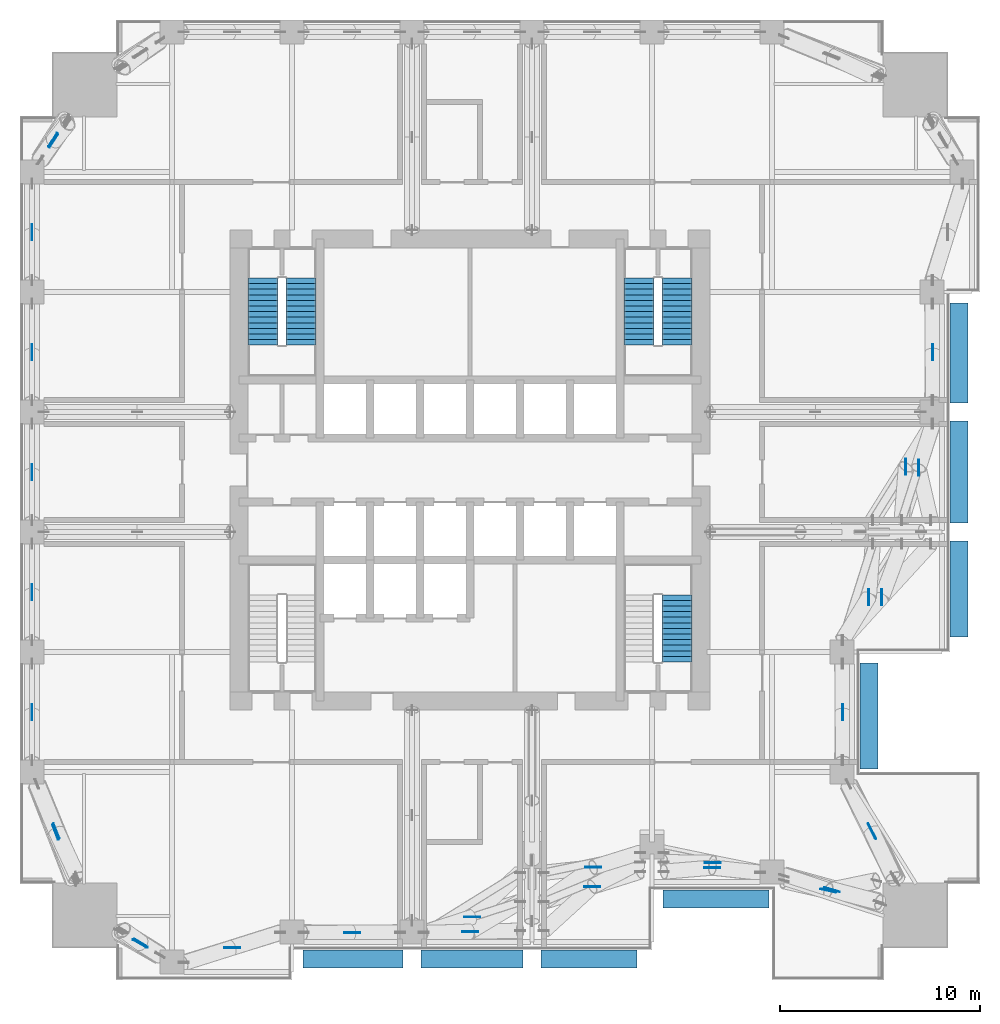
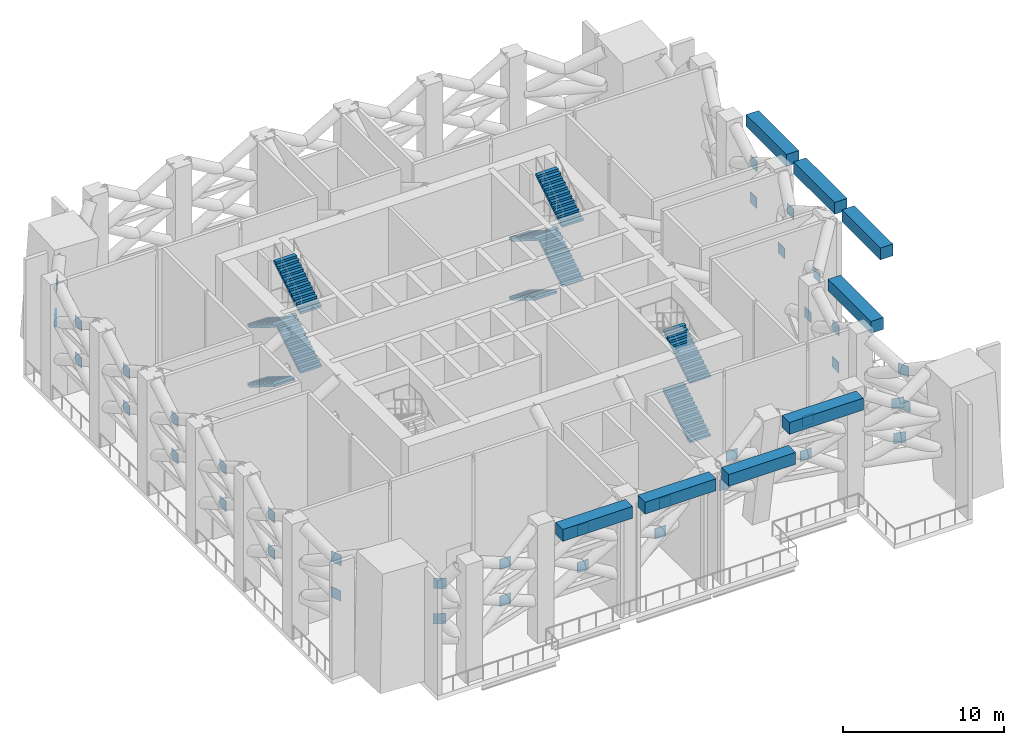
# One storey, part 10 of 18: 46 discrete accessories, 10 stair flights, 3 elements without a shape of their own.
"""IFC4 building model written with IfcOpenShell, lengths in metres."""

from ifc_helpers import new_model, si_unit, direction, frame, origin, origin_2d, place, context, subcontext, project, spatial, polyline, rectangle, outline, extrude, material, type_object, element, aggregate, save


model = new_model("IFC4")

# Units and contexts
model_context = context("Model", 3, precision=1e-05, world=origin(), true_north=direction((0.0, 1.0)))
body_context = subcontext(model_context, "Body", "Model", "MODEL_VIEW")
ifc_project = project(units=[si_unit("LENGTHUNIT", "METRE"), si_unit("AREAUNIT", "SQUARE_METRE"), si_unit("VOLUMEUNIT", "CUBIC_METRE"), si_unit("PLANEANGLEUNIT", "RADIAN"), si_unit("MASSUNIT", "GRAM", prefix="KILO")], contexts=[model_context])

# Site, building, storey
site_placement = place(None, origin())
site = spatial("IfcSite", under=ifc_project, at=site_placement, CompositionType="ELEMENT")
building_placement = place(site_placement, origin())
building = spatial("IfcBuilding", under=site, at=building_placement, Name="Amberfall Residences", CompositionType="ELEMENT")
storey_placement = place(building_placement, frame((0.0, 0.0, 69.699951171875)))
storey = spatial("IfcBuildingStorey", under=building, at=storey_placement, Name="L19", CompositionType="ELEMENT", Elevation=69.699951171875)

# Stair, stair flights
ifc_material = material(Name="Concrete C40", Category="concrete")
stair_type = type_object("IfcStairType", Name="Exit stair 52 risers 173.1 mm", PredefinedType="HALF_TURN_STAIR", material=ifc_material)
stair_1_placement = place(storey_placement, origin())
stair_1 = element("IfcStair", 1, at=stair_1_placement, inside=storey, type_object=stair_type, Name="L19 Exit stair 2", PredefinedType="HALF_TURN_STAIR")
stair_flight_type = type_object("IfcStairFlightType", Name="Stair flight 13 risers 173.1 mm", PredefinedType="STRAIGHT", material=ifc_material)
stair_flight_1_placement = place(storey_placement, frame((84.85009765625, 35.89990234375, 0.0), z_axis=(0.0, 0.0, 1.0), x_axis=(0.0, 1.0, 0.0)))
stair_flight_1 = element("IfcStairFlight", 2, at=stair_flight_1_placement, type_object=stair_flight_type, Name="ST4 flight 1", NumberOfRisers=13, NumberOfTreads=12, PredefinedType="STRAIGHT", RiserHeight=0.173076923, TreadLength=0.28, context=body_context, shape_type="SweptSolid", body=[
    extrude(outline(polyline([(0.0, 0.0), (0.0, 0.173095703125), (0.280029296875, 0.173095703125), (0.280029296875, 0.34619140625), (0.56005859375, 0.34619140625), (0.56005859375, 0.519287109375), (0.840087890625, 0.519287109375), (0.840087890625, 0.6923828125), (1.1201171875, 0.6923828125), (1.1201171875, 0.865478515625), (1.39990234375, 0.865478515625), (1.39990234375, 1.03857421875), (1.679931640625, 1.03857421875), (1.679931640625, 1.21142578125), (1.9599609375, 1.21142578125), (1.9599609375, 1.384521484375), (2.239990234375, 1.384521484375), (2.239990234375, 1.5576171875), (2.52001953125, 1.5576171875), (2.52001953125, 1.730712890625), (2.800048828125, 1.730712890625), (2.800048828125, 1.90380859375), (3.080078125, 1.90380859375), (3.080078125, 2.076904296875), (3.360107421875, 2.076904296875), (3.360107421875, 2.25), (3.360107421875, 1.900634765625), (0.28515625, 0.0), (0.0, 0.0)])), frame((0.0, 0.75, 0.0), z_axis=(0.0, -1.0, 0.0), x_axis=(1.0, 0.0, 0.0)), (0.0, 0.0, 1.0), 1.5),
])
stair_flight_2_placement = place(storey_placement, frame((84.85009765625, 35.89990234375, 4.5), z_axis=(0.0, 0.0, 1.0), x_axis=(0.0, 1.0, 0.0)))
stair_flight_2 = element("IfcStairFlight", 3, at=stair_flight_2_placement, type_object=stair_flight_type, Name="ST4 flight 3", NumberOfRisers=13, NumberOfTreads=12, PredefinedType="STRAIGHT", RiserHeight=0.173076923, TreadLength=0.28, context=body_context, shape_type="SweptSolid", body=[
    extrude(outline(polyline([(0.0, 0.0), (0.0, 0.173095703125), (0.280029296875, 0.173095703125), (0.280029296875, 0.34619140625), (0.56005859375, 0.34619140625), (0.56005859375, 0.519287109375), (0.840087890625, 0.519287109375), (0.840087890625, 0.6923828125), (1.1201171875, 0.6923828125), (1.1201171875, 0.865478515625), (1.39990234375, 0.865478515625), (1.39990234375, 1.03857421875), (1.679931640625, 1.03857421875), (1.679931640625, 1.21142578125), (1.9599609375, 1.21142578125), (1.9599609375, 1.384521484375), (2.239990234375, 1.384521484375), (2.239990234375, 1.5576171875), (2.52001953125, 1.5576171875), (2.52001953125, 1.730712890625), (2.800048828125, 1.730712890625), (2.800048828125, 1.90380859375), (3.080078125, 1.90380859375), (3.080078125, 2.076904296875), (3.360107421875, 2.076904296875), (3.360107421875, 2.25), (3.360107421875, 1.900634765625), (0.28515625, 0.0), (0.0, 0.0)])), frame((0.0, 0.75, 0.0), z_axis=(0.0, -1.0, 0.0), x_axis=(1.0, 0.0, 0.0)), (0.0, 0.0, 1.0), 1.5),
])
aggregate(stair_1, [stair_flight_1, stair_flight_2])

stair_2_placement = place(storey_placement, origin())
stair_2 = element("IfcStair", 4, at=stair_2_placement, inside=storey, type_object=stair_type, Name="L19 Exit stair 3", PredefinedType="HALF_TURN_STAIR")
stair_flight_3_placement = place(storey_placement, frame((82.949951171875, 55.10009765625, 0.0), z_axis=(0.0, 0.0, 1.0), x_axis=(0.0, -1.0, 0.0)))
stair_flight_3 = element("IfcStairFlight", 5, at=stair_flight_3_placement, type_object=stair_flight_type, Name="ST4 flight 1", NumberOfRisers=13, NumberOfTreads=12, PredefinedType="STRAIGHT", RiserHeight=0.173076923, TreadLength=0.28, context=body_context, shape_type="SweptSolid", body=[
    extrude(outline(polyline([(0.0, 0.0), (0.0, 0.173095703125), (0.280029296875, 0.173095703125), (0.280029296875, 0.34619140625), (0.56005859375, 0.34619140625), (0.56005859375, 0.519287109375), (0.840087890625, 0.519287109375), (0.840087890625, 0.6923828125), (1.1201171875, 0.6923828125), (1.1201171875, 0.865478515625), (1.39990234375, 0.865478515625), (1.39990234375, 1.03857421875), (1.679931640625, 1.03857421875), (1.679931640625, 1.21142578125), (1.9599609375, 1.21142578125), (1.9599609375, 1.384521484375), (2.239990234375, 1.384521484375), (2.239990234375, 1.5576171875), (2.52001953125, 1.5576171875), (2.52001953125, 1.730712890625), (2.800048828125, 1.730712890625), (2.800048828125, 1.90380859375), (3.080078125, 1.90380859375), (3.080078125, 2.076904296875), (3.360107421875, 2.076904296875), (3.360107421875, 2.25), (3.360107421875, 1.900634765625), (0.28515625, 0.0), (0.0, 0.0)])), frame((0.0, 0.75, 0.0), z_axis=(0.0, -1.0, 0.0), x_axis=(1.0, 0.0, 0.0)), (0.0, 0.0, 1.0), 1.5),
])
stair_flight_4_placement = place(storey_placement, frame((84.85009765625, 51.739990234375, 2.25), z_axis=(0.0, 0.0, 1.0), x_axis=(0.0, 1.0, 0.0)))
stair_flight_4 = element("IfcStairFlight", 6, at=stair_flight_4_placement, type_object=stair_flight_type, Name="ST4 flight 2", NumberOfRisers=13, NumberOfTreads=12, PredefinedType="STRAIGHT", RiserHeight=0.173076923, TreadLength=0.28, context=body_context, shape_type="SweptSolid", body=[
    extrude(outline(polyline([(0.0, 0.0), (0.0, 0.173095703125), (0.280029296875, 0.173095703125), (0.280029296875, 0.34619140625), (0.56005859375, 0.34619140625), (0.56005859375, 0.519287109375), (0.840087890625, 0.519287109375), (0.840087890625, 0.6923828125), (1.1201171875, 0.6923828125), (1.1201171875, 0.865478515625), (1.39990234375, 0.865478515625), (1.39990234375, 1.03857421875), (1.679931640625, 1.03857421875), (1.679931640625, 1.21142578125), (1.9599609375, 1.21142578125), (1.9599609375, 1.384521484375), (2.239990234375, 1.384521484375), (2.239990234375, 1.5576171875), (2.52001953125, 1.5576171875), (2.52001953125, 1.730712890625), (2.800048828125, 1.730712890625), (2.800048828125, 1.90380859375), (3.080078125, 1.90380859375), (3.080078125, 2.076904296875), (3.360107421875, 2.076904296875), (3.360107421875, 2.25), (3.360107421875, 1.900634765625), (0.28515625, 0.0), (0.0, 0.0)])), frame((0.0, 0.75, 0.0), z_axis=(0.0, -1.0, 0.0), x_axis=(1.0, 0.0, 0.0)), (0.0, 0.0, 1.0), 1.5),
])
stair_flight_5_placement = place(storey_placement, frame((82.949951171875, 55.10009765625, 4.5), z_axis=(0.0, 0.0, 1.0), x_axis=(0.0, -1.0, 0.0)))
stair_flight_5 = element("IfcStairFlight", 7, at=stair_flight_5_placement, type_object=stair_flight_type, Name="ST4 flight 3", NumberOfRisers=13, NumberOfTreads=12, PredefinedType="STRAIGHT", RiserHeight=0.173076923, TreadLength=0.28, context=body_context, shape_type="SweptSolid", body=[
    extrude(outline(polyline([(0.0, 0.0), (0.0, 0.173095703125), (0.280029296875, 0.173095703125), (0.280029296875, 0.34619140625), (0.56005859375, 0.34619140625), (0.56005859375, 0.519287109375), (0.840087890625, 0.519287109375), (0.840087890625, 0.6923828125), (1.1201171875, 0.6923828125), (1.1201171875, 0.865478515625), (1.39990234375, 0.865478515625), (1.39990234375, 1.03857421875), (1.679931640625, 1.03857421875), (1.679931640625, 1.21142578125), (1.9599609375, 1.21142578125), (1.9599609375, 1.384521484375), (2.239990234375, 1.384521484375), (2.239990234375, 1.5576171875), (2.52001953125, 1.5576171875), (2.52001953125, 1.730712890625), (2.800048828125, 1.730712890625), (2.800048828125, 1.90380859375), (3.080078125, 1.90380859375), (3.080078125, 2.076904296875), (3.360107421875, 2.076904296875), (3.360107421875, 2.25), (3.360107421875, 1.900634765625), (0.28515625, 0.0), (0.0, 0.0)])), frame((0.0, 0.75, 0.0), z_axis=(0.0, -1.0, 0.0), x_axis=(1.0, 0.0, 0.0)), (0.0, 0.0, 1.0), 1.5),
])
stair_flight_6_placement = place(storey_placement, frame((84.85009765625, 51.739990234375, 6.75), z_axis=(0.0, 0.0, 1.0), x_axis=(0.0, 1.0, 0.0)))
stair_flight_6 = element("IfcStairFlight", 8, at=stair_flight_6_placement, type_object=stair_flight_type, Name="ST4 flight 4", NumberOfRisers=13, NumberOfTreads=12, PredefinedType="STRAIGHT", RiserHeight=0.173076923, TreadLength=0.28, context=body_context, shape_type="SweptSolid", body=[
    extrude(outline(polyline([(0.0, 0.0), (0.0, 0.173095703125), (0.280029296875, 0.173095703125), (0.280029296875, 0.34619140625), (0.56005859375, 0.34619140625), (0.56005859375, 0.519287109375), (0.840087890625, 0.519287109375), (0.840087890625, 0.6923828125), (1.1201171875, 0.6923828125), (1.1201171875, 0.865478515625), (1.39990234375, 0.865478515625), (1.39990234375, 1.03857421875), (1.679931640625, 1.03857421875), (1.679931640625, 1.21142578125), (1.9599609375, 1.21142578125), (1.9599609375, 1.384521484375), (2.239990234375, 1.384521484375), (2.239990234375, 1.5576171875), (2.52001953125, 1.5576171875), (2.52001953125, 1.730712890625), (2.800048828125, 1.730712890625), (2.800048828125, 1.90380859375), (3.080078125, 1.90380859375), (3.080078125, 2.076904296875), (3.360107421875, 2.076904296875), (3.360107421875, 2.25), (3.360107421875, 1.900634765625), (0.28515625, 0.0), (0.0, 0.0)])), frame((0.0, 0.75, 0.0), z_axis=(0.0, -1.0, 0.0), x_axis=(1.0, 0.0, 0.0)), (0.0, 0.0, 1.0), 1.5),
])
aggregate(stair_2, [stair_flight_3, stair_flight_4, stair_flight_5, stair_flight_6])

stair_3_placement = place(storey_placement, origin())
stair_3 = element("IfcStair", 9, at=stair_3_placement, inside=storey, type_object=stair_type, Name="L19 Exit stair 4", PredefinedType="HALF_TURN_STAIR")
stair_flight_7_placement = place(storey_placement, frame((64.14990234375, 55.10009765625, 0.0), z_axis=(0.0, 0.0, 1.0), x_axis=(0.0, -1.0, 0.0)))
stair_flight_7 = element("IfcStairFlight", 10, at=stair_flight_7_placement, type_object=stair_flight_type, Name="ST4 flight 1", NumberOfRisers=13, NumberOfTreads=12, PredefinedType="STRAIGHT", RiserHeight=0.173076923, TreadLength=0.28, context=body_context, shape_type="SweptSolid", body=[
    extrude(outline(polyline([(0.0, 0.0), (0.0, 0.173095703125), (0.280029296875, 0.173095703125), (0.280029296875, 0.34619140625), (0.56005859375, 0.34619140625), (0.56005859375, 0.519287109375), (0.840087890625, 0.519287109375), (0.840087890625, 0.6923828125), (1.1201171875, 0.6923828125), (1.1201171875, 0.865478515625), (1.39990234375, 0.865478515625), (1.39990234375, 1.03857421875), (1.679931640625, 1.03857421875), (1.679931640625, 1.21142578125), (1.9599609375, 1.21142578125), (1.9599609375, 1.384521484375), (2.239990234375, 1.384521484375), (2.239990234375, 1.5576171875), (2.52001953125, 1.5576171875), (2.52001953125, 1.730712890625), (2.800048828125, 1.730712890625), (2.800048828125, 1.90380859375), (3.080078125, 1.90380859375), (3.080078125, 2.076904296875), (3.360107421875, 2.076904296875), (3.360107421875, 2.25), (3.360107421875, 1.900634765625), (0.28515625, 0.0), (0.0, 0.0)])), frame((0.0, 0.75, 0.0), z_axis=(0.0, -1.0, 0.0), x_axis=(1.0, 0.0, 0.0)), (0.0, 0.0, 1.0), 1.5),
])
stair_flight_8_placement = place(storey_placement, frame((66.050048828125, 51.739990234375, 2.25), z_axis=(0.0, 0.0, 1.0), x_axis=(0.0, 1.0, 0.0)))
stair_flight_8 = element("IfcStairFlight", 11, at=stair_flight_8_placement, type_object=stair_flight_type, Name="ST4 flight 2", NumberOfRisers=13, NumberOfTreads=12, PredefinedType="STRAIGHT", RiserHeight=0.173076923, TreadLength=0.28, context=body_context, shape_type="SweptSolid", body=[
    extrude(outline(polyline([(0.0, 0.0), (0.0, 0.173095703125), (0.280029296875, 0.173095703125), (0.280029296875, 0.34619140625), (0.56005859375, 0.34619140625), (0.56005859375, 0.519287109375), (0.840087890625, 0.519287109375), (0.840087890625, 0.6923828125), (1.1201171875, 0.6923828125), (1.1201171875, 0.865478515625), (1.39990234375, 0.865478515625), (1.39990234375, 1.03857421875), (1.679931640625, 1.03857421875), (1.679931640625, 1.21142578125), (1.9599609375, 1.21142578125), (1.9599609375, 1.384521484375), (2.239990234375, 1.384521484375), (2.239990234375, 1.5576171875), (2.52001953125, 1.5576171875), (2.52001953125, 1.730712890625), (2.800048828125, 1.730712890625), (2.800048828125, 1.90380859375), (3.080078125, 1.90380859375), (3.080078125, 2.076904296875), (3.360107421875, 2.076904296875), (3.360107421875, 2.25), (3.360107421875, 1.900634765625), (0.28515625, 0.0), (0.0, 0.0)])), frame((0.0, 0.75, 0.0), z_axis=(0.0, -1.0, 0.0), x_axis=(1.0, 0.0, 0.0)), (0.0, 0.0, 1.0), 1.5),
])
stair_flight_9_placement = place(storey_placement, frame((64.14990234375, 55.10009765625, 4.5), z_axis=(0.0, 0.0, 1.0), x_axis=(0.0, -1.0, 0.0)))
stair_flight_9 = element("IfcStairFlight", 12, at=stair_flight_9_placement, type_object=stair_flight_type, Name="ST4 flight 3", NumberOfRisers=13, NumberOfTreads=12, PredefinedType="STRAIGHT", RiserHeight=0.173076923, TreadLength=0.28, context=body_context, shape_type="SweptSolid", body=[
    extrude(outline(polyline([(0.0, 0.0), (0.0, 0.173095703125), (0.280029296875, 0.173095703125), (0.280029296875, 0.34619140625), (0.56005859375, 0.34619140625), (0.56005859375, 0.519287109375), (0.840087890625, 0.519287109375), (0.840087890625, 0.6923828125), (1.1201171875, 0.6923828125), (1.1201171875, 0.865478515625), (1.39990234375, 0.865478515625), (1.39990234375, 1.03857421875), (1.679931640625, 1.03857421875), (1.679931640625, 1.21142578125), (1.9599609375, 1.21142578125), (1.9599609375, 1.384521484375), (2.239990234375, 1.384521484375), (2.239990234375, 1.5576171875), (2.52001953125, 1.5576171875), (2.52001953125, 1.730712890625), (2.800048828125, 1.730712890625), (2.800048828125, 1.90380859375), (3.080078125, 1.90380859375), (3.080078125, 2.076904296875), (3.360107421875, 2.076904296875), (3.360107421875, 2.25), (3.360107421875, 1.900634765625), (0.28515625, 0.0), (0.0, 0.0)])), frame((0.0, 0.75, 0.0), z_axis=(0.0, -1.0, 0.0), x_axis=(1.0, 0.0, 0.0)), (0.0, 0.0, 1.0), 1.5),
])
stair_flight_10_placement = place(storey_placement, frame((66.050048828125, 51.739990234375, 6.75), z_axis=(0.0, 0.0, 1.0), x_axis=(0.0, 1.0, 0.0)))
stair_flight_10 = element("IfcStairFlight", 13, at=stair_flight_10_placement, type_object=stair_flight_type, Name="ST4 flight 4", NumberOfRisers=13, NumberOfTreads=12, PredefinedType="STRAIGHT", RiserHeight=0.173076923, TreadLength=0.28, context=body_context, shape_type="SweptSolid", body=[
    extrude(outline(polyline([(0.0, 0.0), (0.0, 0.173095703125), (0.280029296875, 0.173095703125), (0.280029296875, 0.34619140625), (0.56005859375, 0.34619140625), (0.56005859375, 0.519287109375), (0.840087890625, 0.519287109375), (0.840087890625, 0.6923828125), (1.1201171875, 0.6923828125), (1.1201171875, 0.865478515625), (1.39990234375, 0.865478515625), (1.39990234375, 1.03857421875), (1.679931640625, 1.03857421875), (1.679931640625, 1.21142578125), (1.9599609375, 1.21142578125), (1.9599609375, 1.384521484375), (2.239990234375, 1.384521484375), (2.239990234375, 1.5576171875), (2.52001953125, 1.5576171875), (2.52001953125, 1.730712890625), (2.800048828125, 1.730712890625), (2.800048828125, 1.90380859375), (3.080078125, 1.90380859375), (3.080078125, 2.076904296875), (3.360107421875, 2.076904296875), (3.360107421875, 2.25), (3.360107421875, 1.900634765625), (0.28515625, 0.0), (0.0, 0.0)])), frame((0.0, 0.75, 0.0), z_axis=(0.0, -1.0, 0.0), x_axis=(1.0, 0.0, 0.0)), (0.0, 0.0, 1.0), 1.5),
])
aggregate(stair_3, [stair_flight_7, stair_flight_8, stair_flight_9, stair_flight_10])

# Discrete accessories
for number, where, z_axis, x_axis, name in (
    (14, (62.60009765625, 21.625, 3.89990234375), (0.0, 0.0, 1.0), (1.0, 0.0, 0.0), "Connection plate L19"),
    (15, (62.60009765625, 21.610107421875, 6.7001953125), (0.0, 0.0, 1.0), (1.0, 0.0, 0.0), "Connection plate L19"),
    (16, (68.60009765625, 22.375, 3.89990234375), (0.0, 0.0, 1.0), (1.0, 0.0, 0.0), "Connection plate L19"),
    (17, (68.60009765625, 22.360107421875, 6.7001953125), (0.0, 0.0, 1.0), (1.0, 0.0, 0.0), "Connection plate L19"),
    (18, (74.6064453125, 23.150390625, 3.90380859375), (0.0, 0.0, 1.0), (1.0, 0.0, 0.0), "Connection plate L19"),
    (19, (74.51025390625, 22.4150390625, 6.64794921875), (0.0, 0.0, 1.0), (1.0, 0.0, 0.0), "Connection plate L19"),
    (20, (80.65576171875, 25.633056640625, 3.9326171875), (0.0, 0.0, 1.0), (1.0, 0.0, 0.0), "Connection plate L19"),
    (21, (80.61328125, 24.669921875, 6.70751953125), (0.0, 0.0, 1.0), (1.0, 0.0, 0.0), "Connection plate L19"),
    (22, (86.634033203125, 25.85986328125, 3.919921875), (0.0, 0.0, 1.0), (1.0, 0.0, 0.0), "Connection plate L19"),
    (23, (86.6240234375, 25.61962890625, 6.7138671875), (0.0, 0.0, 1.0), (1.0, 0.0, 0.0), "Connection plate L19"),
    (24, (93.125, 33.39990234375, 3.89990234375), (0.0, 0.0, 1.0), (0.0, 1.0, 0.0), "Connection plate L19"),
    (25, (93.139892578125, 33.39990234375, 6.7001953125), (0.0, 0.0, 1.0), (0.0, 1.0, 0.0), "Connection plate L19"),
    (26, (94.444091796875, 39.145263671875, 3.75146484375), (0.0, 0.0, 1.0), (0.0, 1.0, 0.0), "Connection plate L19"),
    (27, (95.09228515625, 39.13720703125, 6.546875), (0.0, 0.0, 1.0), (0.0, 1.0, 0.0), "Connection plate L19"),
    (28, (96.29443359375, 45.6552734375, 4.048828125), (0.0, 0.0, 1.0), (0.0, 1.0, 0.0), "Connection plate L19"),
    (29, (96.9326171875, 45.6025390625, 6.818359375), (0.0, 0.0, 1.0), (0.0, 1.0, 0.0), "Connection plate L19"),
    (30, (97.625, 51.39990234375, 3.89990234375), (0.0, 0.0, 1.0), (0.0, 1.0, 0.0), "Connection plate L19"),
    (31, (97.639892578125, 51.39990234375, 6.7001953125), (0.0, 0.0, 1.0), (0.0, 1.0, 0.0), "Connection plate L19"),
    (32, (52.60009765625, 33.39990234375, 3.89990234375), (0.0, 0.0, 1.0), (0.0, 1.0, 0.0), "Connection plate L19"),
    (33, (52.60009765625, 33.39990234375, 6.7001953125), (0.0, 0.0, 1.0), (0.0, 1.0, 0.0), "Connection plate L19"),
    (34, (52.60009765625, 39.39990234375, 3.89990234375), (0.0, 0.0, 1.0), (0.0, 1.0, 0.0), "Connection plate L19"),
    (35, (52.60009765625, 39.39990234375, 6.7001953125), (0.0, 0.0, 1.0), (0.0, 1.0, 0.0), "Connection plate L19"),
    (36, (52.60009765625, 45.39990234375, 3.89990234375), (0.0, 0.0, 1.0), (0.0, 1.0, 0.0), "Connection plate L19"),
    (37, (52.60009765625, 45.39990234375, 6.7001953125), (0.0, 0.0, 1.0), (0.0, 1.0, 0.0), "Connection plate L19"),
    (38, (52.60009765625, 51.39990234375, 3.89990234375), (0.0, 0.0, 1.0), (0.0, 1.0, 0.0), "Connection plate L19"),
    (39, (52.60009765625, 51.39990234375, 6.7001953125), (0.0, 0.0, 1.0), (0.0, 1.0, 0.0), "Connection plate L19"),
    (40, (52.60009765625, 57.39990234375, 3.89990234375), (0.0, 0.0, 1.0), (0.0, 1.0, 0.0), "Connection plate L19"),
    (41, (52.60009765625, 57.39990234375, 6.7001953125), (0.0, 0.0, 1.0), (0.0, 1.0, 0.0), "Connection plate L19"),
    (42, (53.647216796875, 62.013916015625, 3.94921875), (0.0, 0.0, 1.0), (-0.530496389455, -0.847687195123, 0.0), "Connection plate L19"),
    (43, (53.68408203125, 61.953857421875, 6.59619140625), (0.0, 0.0, 1.0), (-0.557976870385, -0.829856500918, 0.0), "Connection plate L19"),
    (44, (94.62744140625, 27.40283203125, 3.94287109375), (0.0, 0.0, 1.0), (-0.447759087839, 0.894154236839, 0.0), "Connection plate L19"),
    (45, (94.57958984375, 27.463134765625, 6.58935546875), (0.0, 0.0, 1.0), (-0.440033208671, 0.897981500515, 0.0), "Connection plate L19"),
    (46, (92.59765625, 24.509521484375, 3.9423828125), (0.0, 0.0, 1.0), (-0.960677448497, 0.27766677862, 0.0), "Connection plate L19"),
    (47, (92.413818359375, 24.46533203125, 6.658203125), (0.0, 0.0, 1.0), (-0.975488478069, 0.220050515007, 0.0), "Connection plate L19"),
    (48, (57.986328125, 21.81591796875, 3.94921875), (0.0, 0.0, 1.0), (0.870218151407, -0.492666590061, 0.0), "Connection plate L19"),
    (49, (58.04638671875, 21.844970703125, 6.59619140625), (0.0, 0.0, 1.0), (0.852001175756, -0.523539870984, 0.0), "Connection plate L19"),
    (50, (53.77099609375, 27.387939453125, 3.93505859375), (0.0, 0.0, 1.0), (-0.357944267303, 0.933742952587, 0.0), "Connection plate L19"),
    (51, (53.819580078125, 27.44775390625, 6.58154296875), (0.0, 0.0, 1.0), (-0.377372113226, 0.926061708613, 0.0), "Connection plate L19"),
):
    element("IfcDiscreteAccessory", number, at=place(storey_placement, frame(where, z_axis=z_axis, x_axis=x_axis)), inside=storey, Name=name, PredefinedType="BRACKET", context=body_context, shape_type="SweptSolid", body=[
        extrude(rectangle(XDim=0.800048828125, YDim=0.0400390625, at=origin_2d()), origin(), (0.0, 0.0, 1.0), 0.800048828125),
    ])
for number, where, z_axis, x_axis, name in (
    (52, (68.64501953125, 21.050048828125, 8.10009765625), (0.0, 0.0, 1.0), (1.0, 0.0, 0.0), "Planter box L20 S3"),
    (53, (98.949951171875, 51.35498046875, 8.10009765625), (0.0, 0.0, 1.0), (0.0, 1.0, 0.0), "Planter box L20 E7"),
):
    element("IfcDiscreteAccessory", number, at=place(storey_placement, frame(where, z_axis=z_axis, x_axis=x_axis)), inside=storey, Name=name, ObjectType="PLANTER BOX", PredefinedType="USERDEFINED", context=body_context, shape_type="SweptSolid", body=[
        extrude(rectangle(XDim=5.010009765625, YDim=0.89990234375, at=origin_2d()), origin(), (0.0, 0.0, 1.0), 0.89990234375),
    ])
discrete_accessory_1_placement = place(storey_placement, frame((94.449951171875, 33.205078125, 8.10009765625), z_axis=(0.0, 0.0, 1.0), x_axis=(0.0, 1.0, 0.0)))
element("IfcDiscreteAccessory", 54, at=discrete_accessory_1_placement, inside=storey, Name="Planter box L20 E3", ObjectType="PLANTER BOX", PredefinedType="USERDEFINED", context=body_context, shape_type="SweptSolid", body=[
    extrude(rectangle(XDim=5.31005859375, YDim=0.89990234375, at=origin_2d()), origin(), (0.0, 0.0, 1.0), 0.89990234375),
])
discrete_accessory_2_placement = place(storey_placement, frame((74.60009765625, 21.050048828125, 8.10009765625), z_axis=(0.0, 0.0, 1.0), x_axis=(1.0, 0.0, 0.0)))
element("IfcDiscreteAccessory", 55, at=discrete_accessory_2_placement, inside=storey, Name="Planter box L20 S4", ObjectType="PLANTER BOX", PredefinedType="USERDEFINED", context=body_context, shape_type="SweptSolid", body=[
    extrude(rectangle(XDim=5.10009765625, YDim=0.89990234375, at=origin_2d()), origin(), (0.0, 0.0, 1.0), 0.89990234375),
])
discrete_accessory_3_placement = place(storey_placement, frame((80.449951171875, 21.050048828125, 8.10009765625), z_axis=(0.0, 0.0, 1.0), x_axis=(1.0, 0.0, 0.0)))
element("IfcDiscreteAccessory", 56, at=discrete_accessory_3_placement, inside=storey, Name="Planter box L20 S5", ObjectType="PLANTER BOX", PredefinedType="USERDEFINED", context=body_context, shape_type="SweptSolid", body=[
    extrude(rectangle(XDim=4.800048828125, YDim=0.89990234375, at=origin_2d()), origin(), (0.0, 0.0, 1.0), 0.89990234375),
])
discrete_accessory_4_placement = place(storey_placement, frame((86.794921875, 24.050048828125, 8.10009765625), z_axis=(0.0, 0.0, 1.0), x_axis=(1.0, 0.0, 0.0)))
element("IfcDiscreteAccessory", 57, at=discrete_accessory_4_placement, inside=storey, Name="Planter box L20 S7", ObjectType="PLANTER BOX", PredefinedType="USERDEFINED", context=body_context, shape_type="SweptSolid", body=[
    extrude(rectangle(XDim=5.31005859375, YDim=0.89990234375, at=origin_2d()), origin(), (0.0, 0.0, 1.0), 0.89990234375),
])
discrete_accessory_5_placement = place(storey_placement, frame((98.949951171875, 39.550048828125, 8.10009765625), z_axis=(0.0, 0.0, 1.0), x_axis=(0.0, 1.0, 0.0)))
element("IfcDiscreteAccessory", 58, at=discrete_accessory_5_placement, inside=storey, Name="Planter box L20 E5", ObjectType="PLANTER BOX", PredefinedType="USERDEFINED", context=body_context, shape_type="SweptSolid", body=[
    extrude(rectangle(XDim=4.800048828125, YDim=0.89990234375, at=origin_2d()), origin(), (0.0, 0.0, 1.0), 0.89990234375),
])
discrete_accessory_6_placement = place(storey_placement, frame((98.949951171875, 45.39990234375, 8.10009765625), z_axis=(0.0, 0.0, 1.0), x_axis=(0.0, 1.0, 0.0)))
element("IfcDiscreteAccessory", 59, at=discrete_accessory_6_placement, inside=storey, Name="Planter box L20 E6", ObjectType="PLANTER BOX", PredefinedType="USERDEFINED", context=body_context, shape_type="SweptSolid", body=[
    extrude(rectangle(XDim=5.10009765625, YDim=0.89990234375, at=origin_2d()), origin(), (0.0, 0.0, 1.0), 0.89990234375),
])

save(model, "model.ifc")
